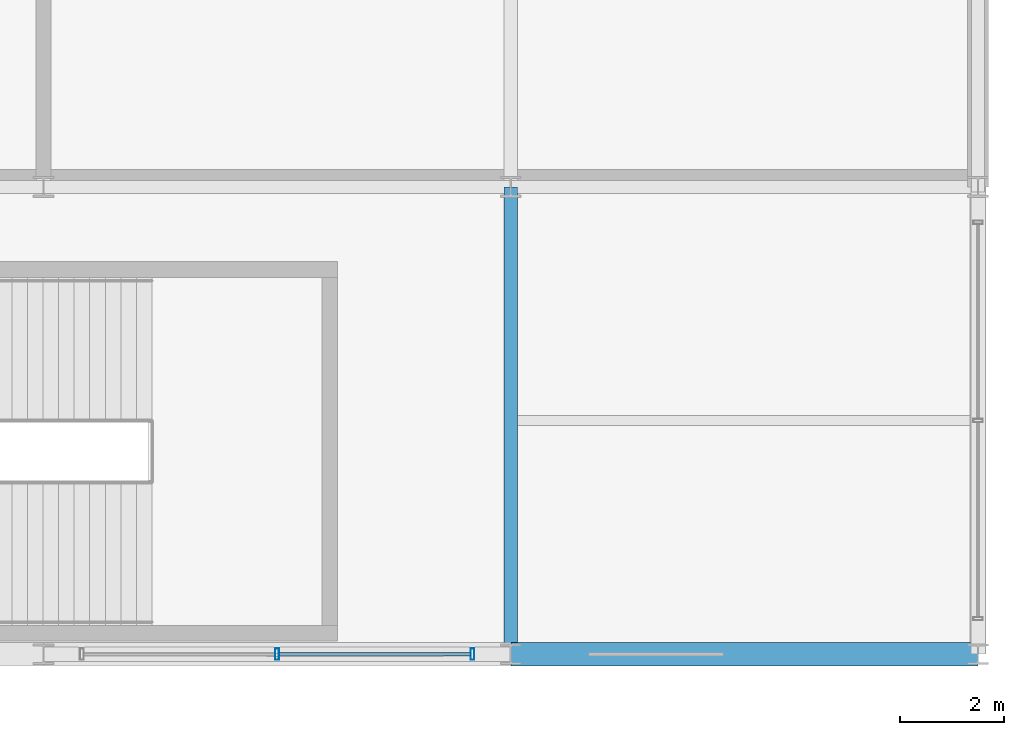
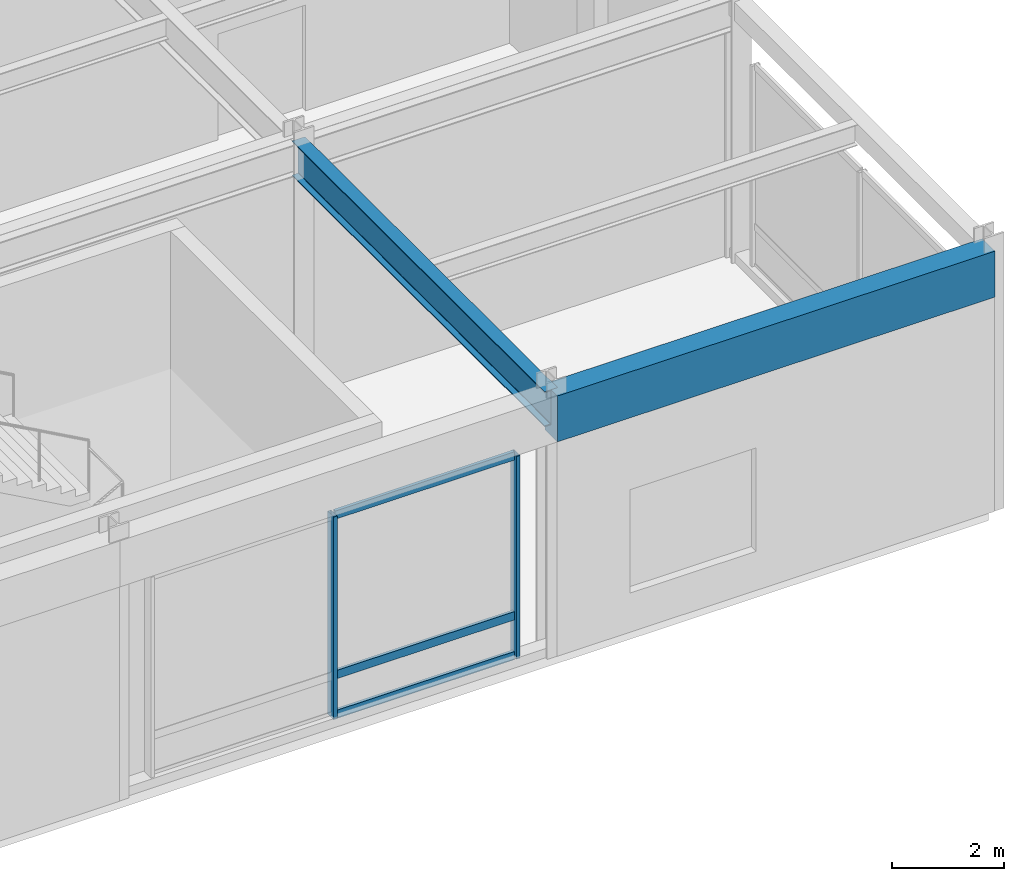
# One storey, part 38 of 105: 5 members, 2 beams, 1 element without a shape of its own.
"""IFC4 building model written with IfcOpenShell, lengths in metres."""

from ifc_helpers import new_model, si_unit, direction, frame, origin, origin_2d, place, context, subcontext, project, spatial, rectangle, hollow_rectangle, i_section, extrude, material, material_profile, profile_set, type_object, element, aggregate, save


model = new_model("IFC4")

# Units and contexts
model_context = context("Model", 3, precision=1e-05, world=origin(), true_north=direction((0.0, 1.0)))
body_context = subcontext(model_context, "Body", "Model", "MODEL_VIEW")
ifc_project = project(units=[si_unit("LENGTHUNIT", "METRE"), si_unit("AREAUNIT", "SQUARE_METRE"), si_unit("VOLUMEUNIT", "CUBIC_METRE"), si_unit("PLANEANGLEUNIT", "RADIAN"), si_unit("MASSUNIT", "GRAM", prefix="KILO")], contexts=[model_context])

# Site, building, storey
site_placement = place(None, origin())
site = spatial("IfcSite", under=ifc_project, at=site_placement, CompositionType="ELEMENT")
building_placement = place(site_placement, origin())
building = spatial("IfcBuilding", under=site, at=building_placement, Name="Kaldorvane Square Convention Centre", CompositionType="ELEMENT")
storey_placement = place(building_placement, frame((0.0, 0.0, 6.0)))
storey = spatial("IfcBuildingStorey", under=building, at=storey_placement, Name="L01", CompositionType="ELEMENT", Elevation=6.0)

# Beams
ifc_material_1 = material(Name="Steel ASTM A992 Gr. 50", Category="steel")
ifc_material_profile_1 = material_profile(ifc_material_1, i_section(OverallWidth=0.2666015625, OverallDepth=0.762298583984375, WebThickness=0.014404296875, FlangeThickness=0.0216064453125, FilletRadius=0.0164947509765625, at=origin_2d()), Name="W30X116")
ifc_profile_set_1 = profile_set([ifc_material_profile_1], Name="Steel ASTM A992 Gr. 50")
beam_type_1 = type_object("IfcBeamType", Name="BM-GR-W30X116", PredefinedType="BEAM", material=ifc_profile_set_1)
beam_1_placement = place(storey_placement, frame((165.0, 0.0, 5.2949066162109375), z_axis=(0.0, 1.0, 0.0), x_axis=(-1.0, 0.0, 0.0)))
element("IfcBeam", 1, at=beam_1_placement, inside=storey, type_object=beam_type_1, Name="Transverse Girder (L01)", PredefinedType="BEAM", context=body_context, shape_type="SweptSolid", body=[
    extrude(i_section(OverallWidth=0.2666015625, OverallDepth=0.762298583984375, WebThickness=0.014404296875, FlangeThickness=0.0216064453125, FilletRadius=0.0164947509765625, at=origin_2d()), origin(), (0.0, 0.0, 1.0), 9.0),
])
ifc_material_2 = material(Name="Concrete f'c = 42 MPa (Normalweight)", Category="concrete")
ifc_material_profile_2 = material_profile(ifc_material_2, rectangle(XDim=0.4499969482421875, YDim=1.0, at=origin_2d()), Name="RCSP1000X450")
ifc_profile_set_2 = profile_set([ifc_material_profile_2], Name="Concrete f'c = 42 MPa (Normalweight)")
beam_type_2 = type_object("IfcBeamType", Name="BM-SP-RC1000", PredefinedType="SPANDREL", material=ifc_profile_set_2)
beam_2_placement = place(storey_placement, frame((165.0, 0.0, 5.175994873046875), z_axis=(1.0, 0.0, 0.0), x_axis=(0.0, 1.0, 0.0)))
element("IfcBeam", 2, at=beam_2_placement, inside=storey, type_object=beam_type_2, Name="Perimeter Spandrel (L01)", PredefinedType="SPANDREL", context=body_context, shape_type="SweptSolid", body=[
    extrude(rectangle(XDim=0.4499969482421875, YDim=1.0, at=origin_2d()), origin(), (0.0, 0.0, 1.0), 9.0),
])

# Curtain wall, members
ifc_material_3 = material(Name="Anodized Aluminum and Low-E Insulated Glazing", Category="aluminium")
curtain_wall_type = type_object("IfcCurtainWallType", Name="CW-UNI-P60-12", PredefinedType="USERDEFINED", material=ifc_material_3)
curtain_wall_placement = place(storey_placement, origin())
curtain_wall = element("IfcCurtainWall", 3, at=curtain_wall_placement, inside=storey, type_object=curtain_wall_type, Name="Curtain Wall CW-01 (L01)", ObjectType="UNITISED GLAZING", PredefinedType="USERDEFINED")
ifc_material_profile_3 = material_profile(ifc_material_3, hollow_rectangle(XDim=0.0749969482421875, YDim=0.220001220703125, WallThickness=0.003997802734375, at=origin_2d()), Name="CWM-220X75")
ifc_profile_set_3 = profile_set([ifc_material_profile_3], Name="Anodized Aluminum and Low-E Insulated Glazing")
member_type_1 = type_object("IfcMemberType", Name="CW-MUL-220", PredefinedType="MULLION", material=ifc_profile_set_3)
member_1_placement = place(storey_placement, frame((160.5, 0.0, 0.149993896484375), z_axis=(0.0, 0.0, 1.0), x_axis=(1.0, 0.0, 0.0)))
member_1 = element("IfcMember", 4, at=member_1_placement, type_object=member_type_1, Name="CW-01 mullion 2", PredefinedType="MULLION", context=body_context, shape_type="SweptSolid", body=[
    extrude(hollow_rectangle(XDim=0.0749969482421875, YDim=0.220001220703125, WallThickness=0.003997802734375, at=origin_2d()), origin(), (0.0, 0.0, 1.0), 4.410003662109375),
])
member_2_placement = place(storey_placement, frame((164.2624969482422, 0.0, 0.149993896484375), z_axis=(0.0, 0.0, 1.0), x_axis=(1.0, 0.0, 0.0)))
member_2 = element("IfcMember", 5, at=member_2_placement, type_object=member_type_1, Name="CW-01 mullion 3", PredefinedType="MULLION", context=body_context, shape_type="SweptSolid", body=[
    extrude(hollow_rectangle(XDim=0.0749969482421875, YDim=0.220001220703125, WallThickness=0.003997802734375, at=origin_2d()), origin(), (0.0, 0.0, 1.0), 4.410003662109375),
])
ifc_material_profile_4 = material_profile(ifc_material_3, hollow_rectangle(XDim=0.06500244140625, YDim=0.17999267578125, WallThickness=0.0034942626953125, at=origin_2d()), Name="CWT-180X65")
ifc_profile_set_4 = profile_set([ifc_material_profile_4], Name="Anodized Aluminum and Low-E Insulated Glazing")
member_type_2 = type_object("IfcMemberType", Name="CW-TRN-180", PredefinedType="USERDEFINED", material=ifc_profile_set_4)
member_3_placement = place(storey_placement, frame((160.53750610351562, 0.0, 0.1824951171875), z_axis=(1.0, 0.0, 0.0), x_axis=(0.0, 1.0, 0.0)))
member_3 = element("IfcMember", 6, at=member_3_placement, type_object=member_type_2, Name="CW-01 transom 2.1", ObjectType="TRANSOM", PredefinedType="USERDEFINED", context=body_context, shape_type="SweptSolid", body=[
    extrude(hollow_rectangle(XDim=0.06500244140625, YDim=0.17999267578125, WallThickness=0.0034942626953125, at=origin_2d()), origin(), (0.0, 0.0, 1.0), 3.6875),
])
member_4_placement = place(storey_placement, frame((160.53750610351562, 0.0, 1.0500030517578125), z_axis=(1.0, 0.0, 0.0), x_axis=(0.0, 1.0, 0.0)))
member_4 = element("IfcMember", 7, at=member_4_placement, type_object=member_type_2, Name="CW-01 transom 2.2", ObjectType="TRANSOM", PredefinedType="USERDEFINED", context=body_context, shape_type="SweptSolid", body=[
    extrude(hollow_rectangle(XDim=0.06500244140625, YDim=0.17999267578125, WallThickness=0.0034942626953125, at=origin_2d()), origin(), (0.0, 0.0, 1.0), 3.6875),
])
member_5_placement = place(storey_placement, frame((160.53750610351562, 0.0, 4.527496337890625), z_axis=(1.0, 0.0, 0.0), x_axis=(0.0, 1.0, 0.0)))
member_5 = element("IfcMember", 8, at=member_5_placement, type_object=member_type_2, Name="CW-01 transom 2.3", ObjectType="TRANSOM", PredefinedType="USERDEFINED", context=body_context, shape_type="SweptSolid", body=[
    extrude(hollow_rectangle(XDim=0.06500244140625, YDim=0.17999267578125, WallThickness=0.0034942626953125, at=origin_2d()), origin(), (0.0, 0.0, 1.0), 3.6875),
])
aggregate(curtain_wall, [member_1, member_2, member_3, member_4, member_5])

save(model, "model.ifc")
